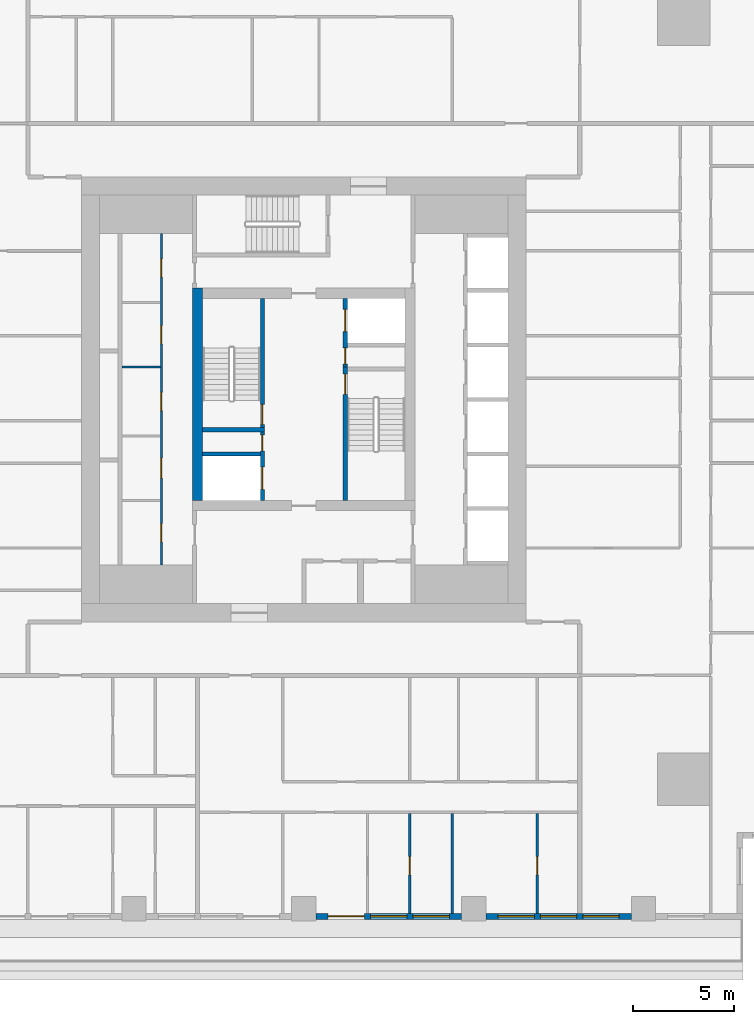
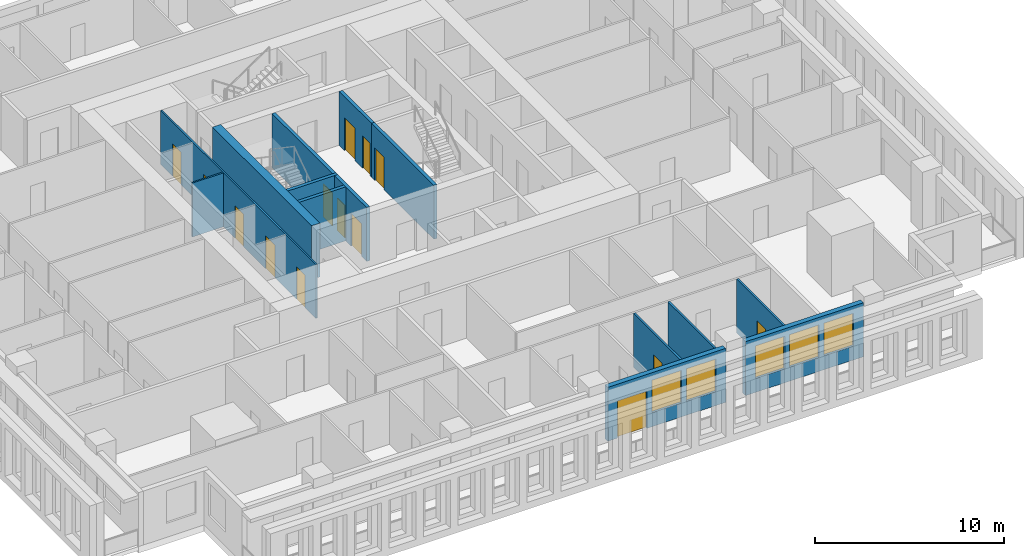
# One storey, part 4 of 16: 14 doors, 14 walls, 5 windows, 19 openings.
"""IFC4 building model written with IfcOpenShell, lengths in metres."""

from ifc_helpers import new_model, si_unit, direction, frame, frame_2d, origin, place, context, subcontext, project, spatial, rectangle, extrude, material, layer, layer_set, type_object, element, fill, save


model = new_model("IFC4")

# Units and contexts
model_context = context("Model", 3, precision=1e-05, world=origin(), true_north=direction((0.0, 1.0)))
body_context = subcontext(model_context, "Body", "Model", "MODEL_VIEW")
ifc_project = project(units=[si_unit("LENGTHUNIT", "METRE"), si_unit("AREAUNIT", "SQUARE_METRE"), si_unit("VOLUMEUNIT", "CUBIC_METRE"), si_unit("PLANEANGLEUNIT", "RADIAN"), si_unit("MASSUNIT", "GRAM", prefix="KILO")], contexts=[model_context])

# Site, building, storey
site_placement = place(None, origin())
site = spatial("IfcSite", under=ifc_project, at=site_placement, CompositionType="ELEMENT")
building_placement = place(site_placement, origin())
building = spatial("IfcBuilding", under=site, at=building_placement, Name="Khepri Terraces", CompositionType="ELEMENT")
storey_placement = place(building_placement, frame((0.0, 0.0, 172.800048828125)))
storey = spatial("IfcBuildingStorey", under=building, at=storey_placement, Name="L41", CompositionType="ELEMENT", Elevation=172.800048828125)

# Wall, opening, door
ifc_material_1 = material(Name="Concrete C60/75", Category="concrete")
ifc_layer_1 = layer(ifc_material_1, 0.199951171875, Name="Concrete C60/75", Category="concrete")
ifc_layer_set_1 = layer_set([ifc_layer_1], Name="Concrete C60/75")
wall_type_1 = type_object("IfcWallType", Name="Core wall 200 C60/75", PredefinedType="SHEAR", material=ifc_layer_set_1)
wall_1_placement = place(storey_placement, frame((2.050048828125, -5.0, 0.0), z_axis=(0.0, 0.0, 1.0), x_axis=(0.0, 1.0, 0.0)))
wall_1 = element("IfcWall", 1, at=wall_1_placement, inside=storey, type_object=wall_type_1, Name="Core wall ST01 L41", PredefinedType="SHEAR", context=body_context, shape_type="SweptSolid", body=[
    extrude(rectangle(XDim=6.60009765625, YDim=0.199951171875, at=frame_2d((3.300048828125, 0.0))), origin(), (0.0, 0.0, 1.0), 3.47998046875),
])
opening_1_placement = place(wall_1_placement, frame((5.25, 0.0, 0.0)))
opening_1 = element("IfcOpeningElement", 2, at=opening_1_placement, cuts=wall_1, Name="Opening L41-C10", PredefinedType="OPENING", context=body_context, shape_type="SweptSolid", body=[
    extrude(rectangle(XDim=1.0, YDim=2.10009765625, at=frame_2d((0.5, 1.050048828125))), frame((0.0, 0.10986328125, 0.0), z_axis=(0.0, -1.0, 0.0), x_axis=(1.0, 0.0, 0.0)), (0.0, 0.0, 1.0), 0.219970703125),
])
ifc_material_2 = material(Name="Painted steel", Category="steel")
door_type_1 = type_object("IfcDoorType", Name="DR-CORE-STAIR-1000", OperationType="NOTDEFINED", PredefinedType="DOOR", material=ifc_material_2)
door_1_placement = place(opening_1_placement, frame((1.0, 0.0, 0.0), z_axis=(0.0, 0.0, 1.0), x_axis=(-1.0, 0.0, 0.0)))
door_1 = element("IfcDoor", 3, at=door_1_placement, inside=storey, type_object=door_type_1, Name="Stair door L41-C10", OperationType="SINGLE_SWING_LEFT", OverallHeight=2.10009765625, OverallWidth=1.0, PredefinedType="DOOR", context=body_context, shape_type="SweptSolid", body=[
    extrude(rectangle(XDim=1.0, YDim=2.10009765625, at=frame_2d((0.5, 1.050048828125))), frame((0.0, 0.02490234375, 0.0), z_axis=(0.0, -1.0, 0.0), x_axis=(1.0, 0.0, 0.0)), (0.0, 0.0, 1.0), 0.050048828125),
])
fill(opening_1, door_1)

# Wall
wall_2_placement = place(storey_placement, frame((-5.0, -1.5, 0.0), z_axis=(0.0, 0.0, 1.0), x_axis=(1.0, 0.0, 0.0)))
element("IfcWall", 4, at=wall_2_placement, inside=storey, type_object=wall_type_1, Name="Core wall ST02 L41", PredefinedType="SHEAR", context=body_context, shape_type="SweptSolid", body=[
    extrude(rectangle(XDim=3.050048828125, YDim=0.199951171875, at=frame_2d((1.52490234375, 0.0))), origin(), (0.0, 0.0, 1.0), 3.47998046875),
])

# Wall, opening, door
wall_3_placement = place(storey_placement, frame((-2.050048828125, -1.39990234375, 0.0), z_axis=(0.0, 0.0, 1.0), x_axis=(0.0, 1.0, 0.0)))
wall_3 = element("IfcWall", 5, at=wall_3_placement, inside=storey, type_object=wall_type_1, Name="Core wall ST03 L41", PredefinedType="SHEAR", context=body_context, shape_type="SweptSolid", body=[
    extrude(rectangle(XDim=6.39990234375, YDim=0.199951171875, at=frame_2d((3.199951171875, 0.0))), origin(), (0.0, 0.0, 1.0), 3.47998046875),
])
opening_2_placement = place(wall_3_placement, frame((0.14990234375, 0.0, 0.0)))
opening_2 = element("IfcOpeningElement", 6, at=opening_2_placement, cuts=wall_3, Name="Opening L41-C09", PredefinedType="OPENING", context=body_context, shape_type="SweptSolid", body=[
    extrude(rectangle(XDim=1.0, YDim=2.10009765625, at=frame_2d((0.5, 1.050048828125))), frame((0.0, 0.10986328125, 0.0), z_axis=(0.0, -1.0, 0.0), x_axis=(1.0, 0.0, 0.0)), (0.0, 0.0, 1.0), 0.219970703125),
])
door_2_placement = place(opening_2_placement, origin())
door_2 = element("IfcDoor", 7, at=door_2_placement, inside=storey, type_object=door_type_1, Name="Stair door L41-C09", OperationType="SINGLE_SWING_LEFT", OverallHeight=2.10009765625, OverallWidth=1.0, PredefinedType="DOOR", context=body_context, shape_type="SweptSolid", body=[
    extrude(rectangle(XDim=1.0, YDim=2.10009765625, at=frame_2d((0.5, 1.050048828125))), frame((0.0, 0.02490234375, 0.0), z_axis=(0.0, -1.0, 0.0), x_axis=(1.0, 0.0, 0.0)), (0.0, 0.0, 1.0), 0.050048828125),
])
fill(opening_2, door_2)

# Wall, openings, doors
wall_4_placement = place(storey_placement, frame((-2.050048828125, -5.0, 0.0), z_axis=(0.0, 0.0, 1.0), x_axis=(0.0, 1.0, 0.0)))
wall_4 = element("IfcWall", 8, at=wall_4_placement, inside=storey, type_object=wall_type_1, Name="Core wall SH05 L41", PredefinedType="SHEAR", context=body_context, shape_type="SweptSolid", body=[
    extrude(rectangle(XDim=3.39990234375, YDim=0.199951171875, at=frame_2d((1.699951171875, 0.0))), origin(), (0.0, 0.0, 1.0), 3.47998046875),
])
opening_3_placement = place(wall_4_placement, frame((0.550048828125, 0.0, 0.0)))
opening_3 = element("IfcOpeningElement", 9, at=opening_3_placement, cuts=wall_4, Name="Opening L41-C08", PredefinedType="OPENING", context=body_context, shape_type="SweptSolid", body=[
    extrude(rectangle(XDim=1.10009765625, YDim=2.10009765625, at=frame_2d((0.550048828125, 1.050048828125))), frame((0.0, 0.10986328125, 0.0), z_axis=(0.0, -1.0, 0.0), x_axis=(1.0, 0.0, 0.0)), (0.0, 0.0, 1.0), 0.219970703125),
])
opening_4_placement = place(wall_4_placement, frame((2.449951171875, 0.0, 0.0)))
opening_4 = element("IfcOpeningElement", 10, at=opening_4_placement, cuts=wall_4, Name="Opening L41-C12", PredefinedType="OPENING", context=body_context, shape_type="SweptSolid", body=[
    extrude(rectangle(XDim=0.800048828125, YDim=2.10009765625, at=frame_2d((0.39990234375, 1.050048828125))), frame((0.0, 0.10986328125, 0.0), z_axis=(0.0, -1.0, 0.0), x_axis=(1.0, 0.0, 0.0)), (0.0, 0.0, 1.0), 0.219970703125),
])
ifc_material_3 = material(Name="Stainless steel 304", Category="steel")
door_type_2 = type_object("IfcDoorType", Name="DR-CORE-FF-LANDING-1100", OperationType="NOTDEFINED", PredefinedType="DOOR", material=ifc_material_3)
door_3_placement = place(opening_3_placement, origin())
door_3 = element("IfcDoor", 11, at=door_3_placement, inside=storey, type_object=door_type_2, Name="Firefighting lift landing door L41-C08", OperationType="SLIDING_TO_LEFT", OverallHeight=2.10009765625, OverallWidth=1.10009765625, PredefinedType="DOOR", context=body_context, shape_type="SweptSolid", body=[
    extrude(rectangle(XDim=1.10009765625, YDim=2.10009765625, at=frame_2d((0.550048828125, 1.050048828125))), frame((0.0, 0.02490234375, 0.0), z_axis=(0.0, -1.0, 0.0), x_axis=(1.0, 0.0, 0.0)), (0.0, 0.0, 1.0), 0.050048828125),
])
fill(opening_3, door_3)
door_type_3 = type_object("IfcDoorType", Name="DR-CORE-RISER-800", OperationType="NOTDEFINED", PredefinedType="DOOR", material=ifc_material_2)
door_4_placement = place(opening_4_placement, origin())
door_4 = element("IfcDoor", 12, at=door_4_placement, inside=storey, type_object=door_type_3, Name="Riser door L41-C12", OperationType="SINGLE_SWING_RIGHT", OverallHeight=2.10009765625, OverallWidth=0.800048828125, PredefinedType="DOOR", context=body_context, shape_type="SweptSolid", body=[
    extrude(rectangle(XDim=0.800048828125, YDim=2.10009765625, at=frame_2d((0.39990234375, 1.050048828125))), frame((0.0, 0.02490234375, 0.0), z_axis=(0.0, -1.0, 0.0), x_axis=(1.0, 0.0, 0.0)), (0.0, 0.0, 1.0), 0.050048828125),
])
fill(opening_4, door_4)

# Wall
wall_5_placement = place(storey_placement, frame((-5.0, -2.699951171875, 0.0), z_axis=(0.0, 0.0, 1.0), x_axis=(1.0, 0.0, 0.0)))
element("IfcWall", 13, at=wall_5_placement, inside=storey, type_object=wall_type_1, Name="Core wall SH07 L41", PredefinedType="SHEAR", context=body_context, shape_type="SweptSolid", body=[
    extrude(rectangle(XDim=2.85009765625, YDim=0.199951171875, at=frame_2d((1.425048828125, 0.0))), origin(), (0.0, 0.0, 1.0), 3.47998046875),
])

# Wall, openings, doors
wall_6_placement = place(storey_placement, frame((2.050048828125, 1.60009765625, 0.0), z_axis=(0.0, 0.0, 1.0), x_axis=(0.0, 1.0, 0.0)))
wall_6 = element("IfcWall", 14, at=wall_6_placement, inside=storey, type_object=wall_type_1, Name="Core wall SH10 L41", PredefinedType="SHEAR", context=body_context, shape_type="SweptSolid", body=[
    extrude(rectangle(XDim=3.39990234375, YDim=0.199951171875, at=frame_2d((1.699951171875, 0.0))), origin(), (0.0, 0.0, 1.0), 3.47998046875),
])
opening_5_placement = place(wall_6_placement, frame((1.75, 0.0, 0.0)))
opening_5 = element("IfcOpeningElement", 15, at=opening_5_placement, cuts=wall_6, Name="Opening L41-C07", PredefinedType="OPENING", context=body_context, shape_type="SweptSolid", body=[
    extrude(rectangle(XDim=1.10009765625, YDim=2.10009765625, at=frame_2d((0.550048828125, 1.050048828125))), frame((0.0, 0.10986328125, 0.0), z_axis=(0.0, -1.0, 0.0), x_axis=(1.0, 0.0, 0.0)), (0.0, 0.0, 1.0), 0.219970703125),
])
opening_6_placement = place(wall_6_placement, frame((0.14990234375, 0.0, 0.0)))
opening_6 = element("IfcOpeningElement", 16, at=opening_6_placement, cuts=wall_6, Name="Opening L41-C11", PredefinedType="OPENING", context=body_context, shape_type="SweptSolid", body=[
    extrude(rectangle(XDim=0.800048828125, YDim=2.10009765625, at=frame_2d((0.39990234375, 1.050048828125))), frame((0.0, 0.10986328125, 0.0), z_axis=(0.0, -1.0, 0.0), x_axis=(1.0, 0.0, 0.0)), (0.0, 0.0, 1.0), 0.219970703125),
])
door_5_placement = place(opening_5_placement, origin())
door_5 = element("IfcDoor", 17, at=door_5_placement, inside=storey, type_object=door_type_2, Name="Firefighting lift landing door L41-C07", OperationType="SLIDING_TO_LEFT", OverallHeight=2.10009765625, OverallWidth=1.10009765625, PredefinedType="DOOR", context=body_context, shape_type="SweptSolid", body=[
    extrude(rectangle(XDim=1.10009765625, YDim=2.10009765625, at=frame_2d((0.550048828125, 1.050048828125))), frame((0.0, 0.02490234375, 0.0), z_axis=(0.0, -1.0, 0.0), x_axis=(1.0, 0.0, 0.0)), (0.0, 0.0, 1.0), 0.050048828125),
])
fill(opening_5, door_5)
door_6_placement = place(opening_6_placement, frame((0.800048828125, 0.0, 0.0), z_axis=(0.0, 0.0, 1.0), x_axis=(-1.0, 0.0, 0.0)))
door_6 = element("IfcDoor", 18, at=door_6_placement, inside=storey, type_object=door_type_3, Name="Riser door L41-C11", OperationType="SINGLE_SWING_RIGHT", OverallHeight=2.10009765625, OverallWidth=0.800048828125, PredefinedType="DOOR", context=body_context, shape_type="SweptSolid", body=[
    extrude(rectangle(XDim=0.800048828125, YDim=2.10009765625, at=frame_2d((0.39990234375, 1.050048828125))), frame((0.0, 0.02490234375, 0.0), z_axis=(0.0, -1.0, 0.0), x_axis=(1.0, 0.0, 0.0)), (0.0, 0.0, 1.0), 0.050048828125),
])
fill(opening_6, door_6)

# Wall
ifc_layer_2 = layer(ifc_material_1, 0.5, Name="Concrete C60/75", Category="concrete")
ifc_layer_set_2 = layer_set([ifc_layer_2], Name="Concrete C60/75")
wall_type_2 = type_object("IfcWallType", Name="Core wall 500 C60/75", PredefinedType="SHEAR", material=ifc_layer_set_2)
wall_7_placement = place(storey_placement, frame((-5.25, -5.0, 0.0), z_axis=(0.0, 0.0, 1.0), x_axis=(0.0, 1.0, 0.0)))
element("IfcWall", 19, at=wall_7_placement, inside=storey, type_object=wall_type_2, Name="Core wall BX02 L41", PredefinedType="SHEAR", context=body_context, shape_type="SweptSolid", body=[
    extrude(rectangle(XDim=10.5, YDim=0.5, at=frame_2d((5.25, 0.0))), origin(), (0.0, 0.0, 1.0), 3.47998046875),
])

# Wall, openings, doors
ifc_material_4 = material(Name="Fire-rated gypsum board partition")
ifc_layer_3 = layer(ifc_material_4, 0.10009765625, Name="Fire-rated gypsum board partition")
ifc_layer_set_3 = layer_set([ifc_layer_3], Name="Fire-rated gypsum board partition")
wall_type_3 = type_object("IfcWallType", Name="WL-CORE-PART-100", PredefinedType="PARTITIONING", material=ifc_layer_set_3)
wall_8_placement = place(storey_placement, frame((-7.050048828125, -8.199951171875, 0.0), z_axis=(0.0, 0.0, 1.0), x_axis=(0.0, 1.0, 0.0)))
wall_8 = element("IfcWall", 20, at=wall_8_placement, inside=storey, type_object=wall_type_3, Name="Core partition PT05 L41", PredefinedType="PARTITIONING", context=body_context, shape_type="SweptSolid", body=[
    extrude(rectangle(XDim=16.39990234375, YDim=0.10009765625, at=frame_2d((8.199951171875, 0.0))), origin(), (0.0, 0.0, 1.0), 3.47998046875),
])
opening_7_placement = place(wall_8_placement, frame((1.14990234375, 0.0, 0.0)))
opening_7 = element("IfcOpeningElement", 21, at=opening_7_placement, cuts=wall_8, Name="Opening L41-C24", PredefinedType="OPENING", context=body_context, shape_type="SweptSolid", body=[
    extrude(rectangle(XDim=0.89990234375, YDim=2.10009765625, at=frame_2d((0.449951171875, 1.050048828125))), frame((0.0, 0.06005859375, 0.0), z_axis=(0.0, -1.0, 0.0), x_axis=(1.0, 0.0, 0.0)), (0.0, 0.0, 1.0), 0.1201171875),
])
opening_8_placement = place(wall_8_placement, frame((4.300048828125, 0.0, 0.0)))
opening_8 = element("IfcOpeningElement", 22, at=opening_8_placement, cuts=wall_8, Name="Opening L41-C25", PredefinedType="OPENING", context=body_context, shape_type="SweptSolid", body=[
    extrude(rectangle(XDim=1.0, YDim=2.10009765625, at=frame_2d((0.5, 1.050048828125))), frame((0.0, 0.06005859375, 0.0), z_axis=(0.0, -1.0, 0.0), x_axis=(1.0, 0.0, 0.0)), (0.0, 0.0, 1.0), 0.1201171875),
])
opening_9_placement = place(wall_8_placement, frame((7.64990234375, 0.0, 0.0)))
opening_9 = element("IfcOpeningElement", 23, at=opening_9_placement, cuts=wall_8, Name="Opening L41-C26", PredefinedType="OPENING", context=body_context, shape_type="SweptSolid", body=[
    extrude(rectangle(XDim=0.89990234375, YDim=2.10009765625, at=frame_2d((0.449951171875, 1.050048828125))), frame((0.0, 0.06005859375, 0.0), z_axis=(0.0, -1.0, 0.0), x_axis=(1.0, 0.0, 0.0)), (0.0, 0.0, 1.0), 0.1201171875),
])
opening_10_placement = place(wall_8_placement, frame((10.949951171875, 0.0, 0.0)))
opening_10 = element("IfcOpeningElement", 24, at=opening_10_placement, cuts=wall_8, Name="Opening L41-C27", PredefinedType="OPENING", context=body_context, shape_type="SweptSolid", body=[
    extrude(rectangle(XDim=0.89990234375, YDim=2.10009765625, at=frame_2d((0.449951171875, 1.050048828125))), frame((0.0, 0.06005859375, 0.0), z_axis=(0.0, -1.0, 0.0), x_axis=(1.0, 0.0, 0.0)), (0.0, 0.0, 1.0), 0.1201171875),
])
opening_11_placement = place(wall_8_placement, frame((14.25, 0.0, 0.0)))
opening_11 = element("IfcOpeningElement", 25, at=opening_11_placement, cuts=wall_8, Name="Opening L41-C28", PredefinedType="OPENING", context=body_context, shape_type="SweptSolid", body=[
    extrude(rectangle(XDim=0.89990234375, YDim=2.10009765625, at=frame_2d((0.449951171875, 1.050048828125))), frame((0.0, 0.06005859375, 0.0), z_axis=(0.0, -1.0, 0.0), x_axis=(1.0, 0.0, 0.0)), (0.0, 0.0, 1.0), 0.1201171875),
])
door_type_4 = type_object("IfcDoorType", Name="DR-CORE-SERVICE-900", OperationType="NOTDEFINED", PredefinedType="DOOR", material=ifc_material_2)
door_7_placement = place(opening_7_placement, origin())
door_7 = element("IfcDoor", 26, at=door_7_placement, inside=storey, type_object=door_type_4, Name="Service room door L41-C24", OperationType="SINGLE_SWING_LEFT", OverallHeight=2.10009765625, OverallWidth=0.89990234375, PredefinedType="DOOR", context=body_context, shape_type="SweptSolid", body=[
    extrude(rectangle(XDim=0.89990234375, YDim=2.10009765625, at=frame_2d((0.449951171875, 1.050048828125))), frame((0.0, 0.02490234375, 0.0), z_axis=(0.0, -1.0, 0.0), x_axis=(1.0, 0.0, 0.0)), (0.0, 0.0, 1.0), 0.050048828125),
])
fill(opening_7, door_7)
door_8_placement = place(opening_9_placement, origin())
door_8 = element("IfcDoor", 27, at=door_8_placement, inside=storey, type_object=door_type_4, Name="Service room door L41-C26", OperationType="SINGLE_SWING_LEFT", OverallHeight=2.10009765625, OverallWidth=0.89990234375, PredefinedType="DOOR", context=body_context, shape_type="SweptSolid", body=[
    extrude(rectangle(XDim=0.89990234375, YDim=2.10009765625, at=frame_2d((0.449951171875, 1.050048828125))), frame((0.0, 0.02490234375, 0.0), z_axis=(0.0, -1.0, 0.0), x_axis=(1.0, 0.0, 0.0)), (0.0, 0.0, 1.0), 0.050048828125),
])
fill(opening_9, door_8)
door_9_placement = place(opening_10_placement, origin())
door_9 = element("IfcDoor", 28, at=door_9_placement, inside=storey, type_object=door_type_4, Name="Service room door L41-C27", OperationType="SINGLE_SWING_RIGHT", OverallHeight=2.10009765625, OverallWidth=0.89990234375, PredefinedType="DOOR", context=body_context, shape_type="SweptSolid", body=[
    extrude(rectangle(XDim=0.89990234375, YDim=2.10009765625, at=frame_2d((0.449951171875, 1.050048828125))), frame((0.0, 0.02490234375, 0.0), z_axis=(0.0, -1.0, 0.0), x_axis=(1.0, 0.0, 0.0)), (0.0, 0.0, 1.0), 0.050048828125),
])
fill(opening_10, door_9)
door_10_placement = place(opening_11_placement, origin())
door_10 = element("IfcDoor", 29, at=door_10_placement, inside=storey, type_object=door_type_4, Name="Service room door L41-C28", OperationType="SINGLE_SWING_RIGHT", OverallHeight=2.10009765625, OverallWidth=0.89990234375, PredefinedType="DOOR", context=body_context, shape_type="SweptSolid", body=[
    extrude(rectangle(XDim=0.89990234375, YDim=2.10009765625, at=frame_2d((0.449951171875, 1.050048828125))), frame((0.0, 0.02490234375, 0.0), z_axis=(0.0, -1.0, 0.0), x_axis=(1.0, 0.0, 0.0)), (0.0, 0.0, 1.0), 0.050048828125),
])
fill(opening_11, door_10)
ifc_material_5 = material(Name="Timber veneer", Category="wood")
door_type_5 = type_object("IfcDoorType", Name="DR-CORE-WC-1000", OperationType="NOTDEFINED", PredefinedType="DOOR", material=ifc_material_5)
door_11_placement = place(opening_8_placement, origin())
door_11 = element("IfcDoor", 30, at=door_11_placement, inside=storey, type_object=door_type_5, Name="WC door L41-C25", OperationType="SINGLE_SWING_LEFT", OverallHeight=2.10009765625, OverallWidth=1.0, PredefinedType="DOOR", context=body_context, shape_type="SweptSolid", body=[
    extrude(rectangle(XDim=1.0, YDim=2.10009765625, at=frame_2d((0.5, 1.050048828125))), frame((0.0, 0.02490234375, 0.0), z_axis=(0.0, -1.0, 0.0), x_axis=(1.0, 0.0, 0.0)), (0.0, 0.0, 1.0), 0.050048828125),
])
fill(opening_8, door_11)

# Wall
wall_9_placement = place(storey_placement, frame((-9.0, 1.60009765625, 0.0), z_axis=(0.0, 0.0, 1.0), x_axis=(1.0, 0.0, 0.0)))
element("IfcWall", 31, at=wall_9_placement, inside=storey, type_object=wall_type_3, Name="Core partition PT10 L41", PredefinedType="PARTITIONING", context=body_context, shape_type="SweptSolid", body=[
    extrude(rectangle(XDim=1.89990234375, YDim=0.10009765625, at=frame_2d((0.949951171875, 0.0))), origin(), (0.0, 0.0, 1.0), 3.47998046875),
])

# Wall, openings, door, windows
ifc_material_6 = material(Name="Precast concrete C50/60 warm stone", Category="masonry")
ifc_layer_4 = layer(ifc_material_6, 0.300048828125, Name="Precast concrete C50/60 warm stone", Category="masonry")
ifc_layer_set_4 = layer_set([ifc_layer_4], Name="Precast concrete C50/60 warm stone")
wall_type_4 = type_object("IfcWallType", Name="WL-EXT-PRECAST-300", PredefinedType="STANDARD", material=ifc_layer_set_4)
wall_10_placement = place(storey_placement, frame((0.60009765625, -25.570068359375, 0.0), z_axis=(0.0, 0.0, 1.0), x_axis=(1.0, 0.0, 0.0)))
wall_10 = element("IfcWall", 32, at=wall_10_placement, inside=storey, type_object=wall_type_4, Name="External wall L41 S", PredefinedType="STANDARD", context=body_context, shape_type="SweptSolid", body=[
    extrude(rectangle(XDim=7.199951171875, YDim=0.300048828125, at=frame_2d((3.60009765625, 0.0))), origin(), (0.0, 0.0, 1.0), 3.47998046875),
])
opening_12_placement = place(wall_10_placement, frame((0.60009765625, 0.0, 0.0)))
opening_12 = element("IfcOpeningElement", 33, at=opening_12_placement, cuts=wall_10, Name="Opening ED-L41-16", PredefinedType="OPENING", context=body_context, shape_type="SweptSolid", body=[
    extrude(rectangle(XDim=1.800048828125, YDim=2.39990234375, at=frame_2d((0.89990234375, 1.199951171875))), frame((0.0, 0.16015625, 0.0), z_axis=(0.0, -1.0, 0.0), x_axis=(1.0, 0.0, 0.0)), (0.0, 0.0, 1.0), 0.320068359375),
])
opening_13_placement = place(wall_10_placement, frame((2.699951171875, 0.0, 0.89990234375)))
opening_13 = element("IfcOpeningElement", 34, at=opening_13_placement, cuts=wall_10, Name="Opening W1", PredefinedType="OPENING", context=body_context, shape_type="SweptSolid", body=[
    extrude(rectangle(XDim=1.800048828125, YDim=2.10009765625, at=frame_2d((0.89990234375, 1.050048828125))), frame((0.0, 0.16015625, 0.0), z_axis=(0.0, -1.0, 0.0), x_axis=(1.0, 0.0, 0.0)), (0.0, 0.0, 1.0), 0.320068359375),
])
opening_14_placement = place(wall_10_placement, frame((4.800048828125, 0.0, 0.89990234375)))
opening_14 = element("IfcOpeningElement", 35, at=opening_14_placement, cuts=wall_10, Name="Opening W1", PredefinedType="OPENING", context=body_context, shape_type="SweptSolid", body=[
    extrude(rectangle(XDim=1.800048828125, YDim=2.10009765625, at=frame_2d((0.89990234375, 1.050048828125))), frame((0.0, 0.16015625, 0.0), z_axis=(0.0, -1.0, 0.0), x_axis=(1.0, 0.0, 0.0)), (0.0, 0.0, 1.0), 0.320068359375),
])
ifc_material_7 = material(Name="Anodised aluminium bronze glazed door", Category="aluminium")
door_type_6 = type_object("IfcDoorType", Name="DR-BAL-SLIDE-1800x2400", OperationType="NOTDEFINED", PredefinedType="DOOR", material=ifc_material_7)
door_12_placement = place(opening_12_placement, origin())
door_12 = element("IfcDoor", 36, at=door_12_placement, inside=storey, type_object=door_type_6, Name="Balcony door L41 S", OperationType="SLIDING_TO_LEFT", OverallHeight=2.39990234375, OverallWidth=1.800048828125, PredefinedType="DOOR", context=body_context, shape_type="SweptSolid", body=[
    extrude(rectangle(XDim=1.800048828125, YDim=2.39990234375, at=frame_2d((0.89990234375, 1.199951171875))), frame((0.0, 0.02490234375, 0.0), z_axis=(0.0, -1.0, 0.0), x_axis=(1.0, 0.0, 0.0)), (0.0, 0.0, 1.0), 0.050048828125),
])
fill(opening_12, door_12)
ifc_material_8 = material(Name="Clear glass", Category="glass")
window_type = type_object("IfcWindowType", Name="WIN-RES-1800x2100", PartitioningType="SINGLE_PANEL", PredefinedType="WINDOW", material=ifc_material_8)
window_1_placement = place(opening_13_placement, origin())
window_1 = element("IfcWindow", 37, at=window_1_placement, inside=storey, type_object=window_type, Name="Window L41 S", OverallHeight=2.10009765625, OverallWidth=1.800048828125, PartitioningType="SINGLE_PANEL", PredefinedType="WINDOW", context=body_context, shape_type="SweptSolid", body=[
    extrude(rectangle(XDim=1.800048828125, YDim=2.10009765625, at=frame_2d((0.89990234375, 1.050048828125))), frame((0.0, 0.030029296875, 0.0), z_axis=(0.0, -1.0, 0.0), x_axis=(1.0, 0.0, 0.0)), (0.0, 0.0, 1.0), 0.06005859375),
])
fill(opening_13, window_1)
window_2_placement = place(opening_14_placement, origin())
window_2 = element("IfcWindow", 38, at=window_2_placement, inside=storey, type_object=window_type, Name="Window L41 S", OverallHeight=2.10009765625, OverallWidth=1.800048828125, PartitioningType="SINGLE_PANEL", PredefinedType="WINDOW", context=body_context, shape_type="SweptSolid", body=[
    extrude(rectangle(XDim=1.800048828125, YDim=2.10009765625, at=frame_2d((0.89990234375, 1.050048828125))), frame((0.0, 0.030029296875, 0.0), z_axis=(0.0, -1.0, 0.0), x_axis=(1.0, 0.0, 0.0)), (0.0, 0.0, 1.0), 0.06005859375),
])
fill(opening_14, window_2)

# Wall, openings, windows
wall_11_placement = place(storey_placement, frame((9.0, -25.570068359375, 0.0), z_axis=(0.0, 0.0, 1.0), x_axis=(1.0, 0.0, 0.0)))
wall_11 = element("IfcWall", 39, at=wall_11_placement, inside=storey, type_object=wall_type_4, Name="External wall L41 S", PredefinedType="STANDARD", context=body_context, shape_type="SweptSolid", body=[
    extrude(rectangle(XDim=7.199951171875, YDim=0.300048828125, at=frame_2d((3.60009765625, 0.0))), origin(), (0.0, 0.0, 1.0), 3.47998046875),
])
opening_15_placement = place(wall_11_placement, frame((0.60009765625, 0.0, 0.89990234375)))
opening_15 = element("IfcOpeningElement", 40, at=opening_15_placement, cuts=wall_11, Name="Opening W1", PredefinedType="OPENING", context=body_context, shape_type="SweptSolid", body=[
    extrude(rectangle(XDim=1.800048828125, YDim=2.10009765625, at=frame_2d((0.89990234375, 1.050048828125))), frame((0.0, 0.16015625, 0.0), z_axis=(0.0, -1.0, 0.0), x_axis=(1.0, 0.0, 0.0)), (0.0, 0.0, 1.0), 0.320068359375),
])
opening_16_placement = place(wall_11_placement, frame((2.699951171875, 0.0, 0.89990234375)))
opening_16 = element("IfcOpeningElement", 41, at=opening_16_placement, cuts=wall_11, Name="Opening W1", PredefinedType="OPENING", context=body_context, shape_type="SweptSolid", body=[
    extrude(rectangle(XDim=1.800048828125, YDim=2.10009765625, at=frame_2d((0.89990234375, 1.050048828125))), frame((0.0, 0.16015625, 0.0), z_axis=(0.0, -1.0, 0.0), x_axis=(1.0, 0.0, 0.0)), (0.0, 0.0, 1.0), 0.320068359375),
])
opening_17_placement = place(wall_11_placement, frame((4.800048828125, 0.0, 0.89990234375)))
opening_17 = element("IfcOpeningElement", 42, at=opening_17_placement, cuts=wall_11, Name="Opening W1", PredefinedType="OPENING", context=body_context, shape_type="SweptSolid", body=[
    extrude(rectangle(XDim=1.800048828125, YDim=2.10009765625, at=frame_2d((0.89990234375, 1.050048828125))), frame((0.0, 0.16015625, 0.0), z_axis=(0.0, -1.0, 0.0), x_axis=(1.0, 0.0, 0.0)), (0.0, 0.0, 1.0), 0.320068359375),
])
window_3_placement = place(opening_15_placement, origin())
window_3 = element("IfcWindow", 43, at=window_3_placement, inside=storey, type_object=window_type, Name="Window L41 S", OverallHeight=2.10009765625, OverallWidth=1.800048828125, PartitioningType="SINGLE_PANEL", PredefinedType="WINDOW", context=body_context, shape_type="SweptSolid", body=[
    extrude(rectangle(XDim=1.800048828125, YDim=2.10009765625, at=frame_2d((0.89990234375, 1.050048828125))), frame((0.0, 0.030029296875, 0.0), z_axis=(0.0, -1.0, 0.0), x_axis=(1.0, 0.0, 0.0)), (0.0, 0.0, 1.0), 0.06005859375),
])
fill(opening_15, window_3)
window_4_placement = place(opening_16_placement, origin())
window_4 = element("IfcWindow", 44, at=window_4_placement, inside=storey, type_object=window_type, Name="Window L41 S", OverallHeight=2.10009765625, OverallWidth=1.800048828125, PartitioningType="SINGLE_PANEL", PredefinedType="WINDOW", context=body_context, shape_type="SweptSolid", body=[
    extrude(rectangle(XDim=1.800048828125, YDim=2.10009765625, at=frame_2d((0.89990234375, 1.050048828125))), frame((0.0, 0.030029296875, 0.0), z_axis=(0.0, -1.0, 0.0), x_axis=(1.0, 0.0, 0.0)), (0.0, 0.0, 1.0), 0.06005859375),
])
fill(opening_16, window_4)
window_5_placement = place(opening_17_placement, origin())
window_5 = element("IfcWindow", 45, at=window_5_placement, inside=storey, type_object=window_type, Name="Window L41 S", OverallHeight=2.10009765625, OverallWidth=1.800048828125, PartitioningType="SINGLE_PANEL", PredefinedType="WINDOW", context=body_context, shape_type="SweptSolid", body=[
    extrude(rectangle(XDim=1.800048828125, YDim=2.10009765625, at=frame_2d((0.89990234375, 1.050048828125))), frame((0.0, 0.030029296875, 0.0), z_axis=(0.0, -1.0, 0.0), x_axis=(1.0, 0.0, 0.0)), (0.0, 0.0, 1.0), 0.06005859375),
])
fill(opening_17, window_5)

# Wall, opening, door
ifc_material_9 = material(Name="Gypsum plasterboard partition")
ifc_layer_5 = layer(ifc_material_9, 0.1201171875, Name="Gypsum plasterboard partition")
ifc_layer_set_5 = layer_set([ifc_layer_5], Name="Gypsum plasterboard partition")
wall_type_5 = type_object("IfcWallType", Name="WL-PART-120", PredefinedType="PARTITIONING", material=ifc_layer_set_5)
wall_12_placement = place(storey_placement, frame((5.25, -25.419921875, 0.0), z_axis=(0.0, 0.0, 1.0), x_axis=(0.0, 1.0, 0.0)))
wall_12 = element("IfcWall", 46, at=wall_12_placement, inside=storey, type_object=wall_type_5, Name="Partition P-007 L41", PredefinedType="PARTITIONING", context=body_context, shape_type="SweptSolid", body=[
    extrude(rectangle(XDim=4.93994140625, YDim=0.1201171875, at=frame_2d((2.469970703125, 0.0))), origin(), (0.0, 0.0, 1.0), 3.47998046875),
])
opening_18_placement = place(wall_12_placement, frame((1.89990234375, 0.0, 0.0)))
opening_18 = element("IfcOpeningElement", 47, at=opening_18_placement, cuts=wall_12, Name="Opening D4", PredefinedType="OPENING", context=body_context, shape_type="SweptSolid", body=[
    extrude(rectangle(XDim=0.89990234375, YDim=2.10009765625, at=frame_2d((0.449951171875, 1.050048828125))), frame((0.0, 0.070068359375, 0.0), z_axis=(0.0, -1.0, 0.0), x_axis=(1.0, 0.0, 0.0)), (0.0, 0.0, 1.0), 0.14013671875),
])
ifc_material_10 = material(Name="Timber door leaf, moisture resistant", Category="wood")
door_type_7 = type_object("IfcDoorType", Name="DR-WET-900", OperationType="NOTDEFINED", PredefinedType="DOOR", material=ifc_material_10)
door_13_placement = place(opening_18_placement, frame((0.89990234375, 0.0, 0.0), z_axis=(0.0, 0.0, 1.0), x_axis=(-1.0, 0.0, 0.0)))
door_13 = element("IfcDoor", 48, at=door_13_placement, inside=storey, type_object=door_type_7, Name="Door Bathroom", OperationType="SINGLE_SWING_RIGHT", OverallHeight=2.10009765625, OverallWidth=0.89990234375, PredefinedType="DOOR", context=body_context, shape_type="SweptSolid", body=[
    extrude(rectangle(XDim=0.89990234375, YDim=2.10009765625, at=frame_2d((0.449951171875, 1.050048828125))), frame((0.0, 0.02490234375, 0.0), z_axis=(0.0, -1.0, 0.0), x_axis=(1.0, 0.0, 0.0)), (0.0, 0.0, 1.0), 0.050048828125),
])
fill(opening_18, door_13)

# Wall
wall_13_placement = place(storey_placement, frame((7.35009765625, -25.419921875, 0.0), z_axis=(0.0, 0.0, 1.0), x_axis=(0.0, 1.0, 0.0)))
element("IfcWall", 49, at=wall_13_placement, inside=storey, type_object=wall_type_5, Name="Partition P-008 L41", PredefinedType="PARTITIONING", context=body_context, shape_type="SweptSolid", body=[
    extrude(rectangle(XDim=4.93994140625, YDim=0.1201171875, at=frame_2d((2.469970703125, 0.0))), origin(), (0.0, 0.0, 1.0), 3.47998046875),
])

# Wall, opening, door
wall_14_placement = place(storey_placement, frame((11.550048828125, -25.419921875, 0.0), z_axis=(0.0, 0.0, 1.0), x_axis=(0.0, 1.0, 0.0)))
wall_14 = element("IfcWall", 50, at=wall_14_placement, inside=storey, type_object=wall_type_5, Name="Partition P-009 L41", PredefinedType="PARTITIONING", context=body_context, shape_type="SweptSolid", body=[
    extrude(rectangle(XDim=4.93994140625, YDim=0.1201171875, at=frame_2d((2.469970703125, 0.0))), origin(), (0.0, 0.0, 1.0), 3.47998046875),
])
opening_19_placement = place(wall_14_placement, frame((1.89990234375, 0.0, 0.0)))
opening_19 = element("IfcOpeningElement", 51, at=opening_19_placement, cuts=wall_14, Name="Opening D4", PredefinedType="OPENING", context=body_context, shape_type="SweptSolid", body=[
    extrude(rectangle(XDim=0.89990234375, YDim=2.10009765625, at=frame_2d((0.449951171875, 1.050048828125))), frame((0.0, 0.070068359375, 0.0), z_axis=(0.0, -1.0, 0.0), x_axis=(1.0, 0.0, 0.0)), (0.0, 0.0, 1.0), 0.14013671875),
])
door_14_placement = place(opening_19_placement, frame((0.89990234375, 0.0, 0.0), z_axis=(0.0, 0.0, 1.0), x_axis=(-1.0, 0.0, 0.0)))
door_14 = element("IfcDoor", 52, at=door_14_placement, inside=storey, type_object=door_type_7, Name="Door Bathroom", OperationType="SINGLE_SWING_RIGHT", OverallHeight=2.10009765625, OverallWidth=0.89990234375, PredefinedType="DOOR", context=body_context, shape_type="SweptSolid", body=[
    extrude(rectangle(XDim=0.89990234375, YDim=2.10009765625, at=frame_2d((0.449951171875, 1.050048828125))), frame((0.0, 0.02490234375, 0.0), z_axis=(0.0, -1.0, 0.0), x_axis=(1.0, 0.0, 0.0)), (0.0, 0.0, 1.0), 0.050048828125),
])
fill(opening_19, door_14)

save(model, "model.ifc")
